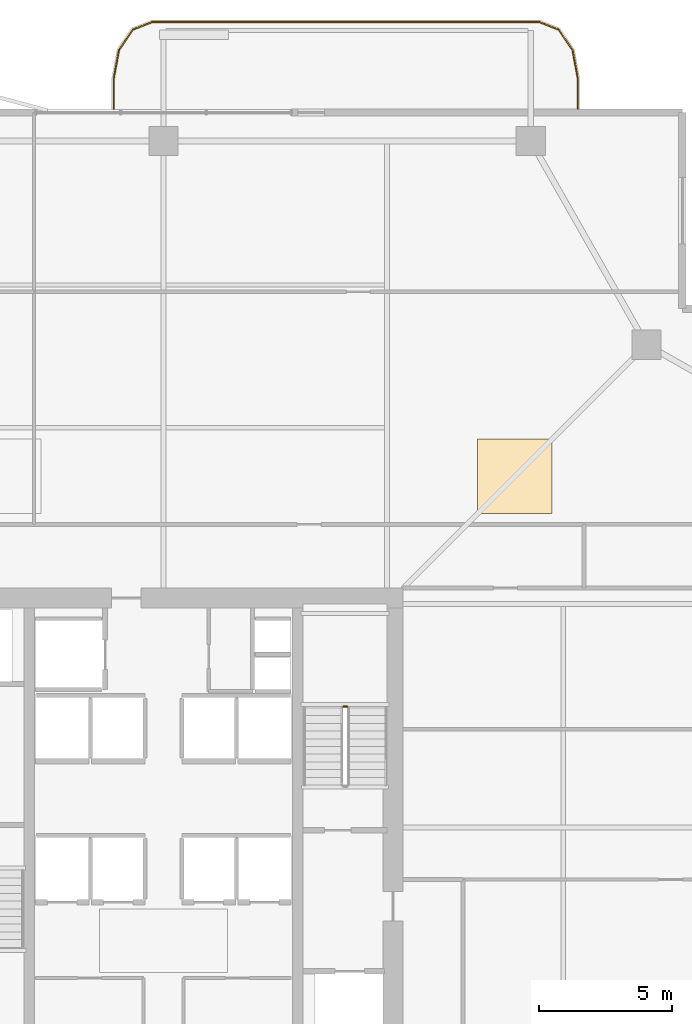
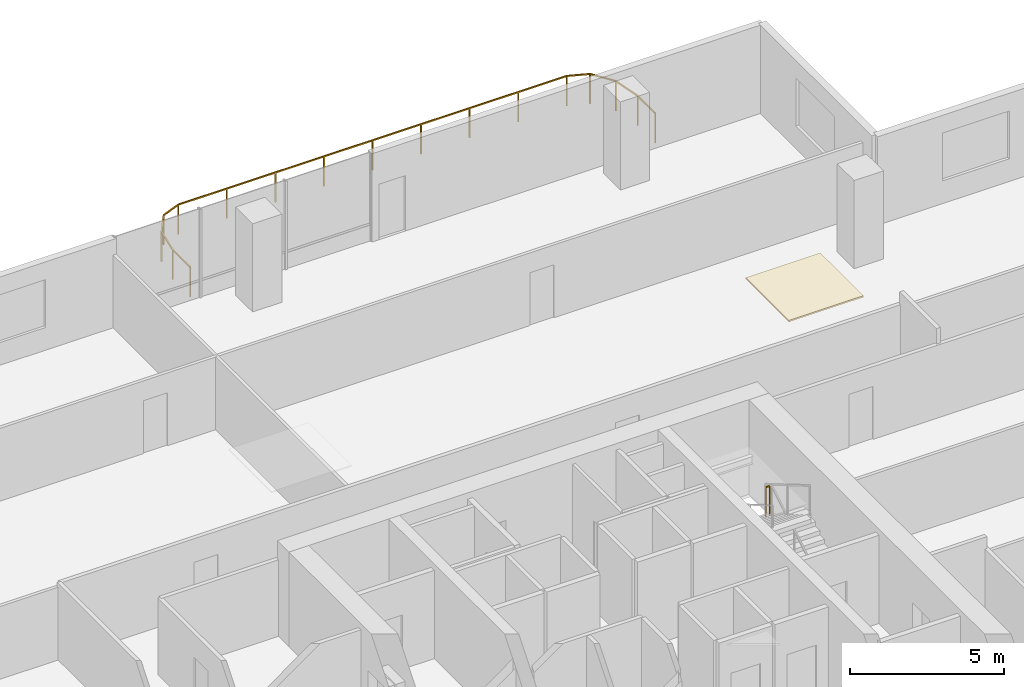
# One storey, part 24 of 24: 2 railings, 1 covering.
"""IFC4 building model written with IfcOpenShell, lengths in metres."""

from ifc_helpers import new_model, si_unit, direction, frame, origin, origin_2d, place, context, subcontext, project, spatial, polyline, rectangle, outline, extrude, material, layer, layer_set, type_object, element, save


model = new_model("IFC4")

# Units and contexts
model_context = context("Model", 3, precision=1e-05, world=origin(), true_north=direction((0.0, 1.0)))
body_context = subcontext(model_context, "Body", "Model", "MODEL_VIEW")
ifc_project = project(units=[si_unit("LENGTHUNIT", "METRE"), si_unit("AREAUNIT", "SQUARE_METRE"), si_unit("VOLUMEUNIT", "CUBIC_METRE"), si_unit("PLANEANGLEUNIT", "RADIAN"), si_unit("MASSUNIT", "GRAM", prefix="KILO")], contexts=[model_context])

# Site, building, storey
site_placement = place(None, origin())
site = spatial("IfcSite", under=ifc_project, at=site_placement, CompositionType="ELEMENT")
building_placement = place(site_placement, origin())
building = spatial("IfcBuilding", under=site, at=building_placement, Name="Belovzor Exchange Tower", CompositionType="ELEMENT")
storey_placement = place(building_placement, frame((0.0, 0.0, 207.449951171875)))
storey = spatial("IfcBuildingStorey", under=building, at=storey_placement, Name="L51", CompositionType="ELEMENT", Elevation=207.449951171875)

# Railings
ifc_material_1 = material(Name="Stainless Steel and Laminated Safety Glass", Category="steel")
railing_type_1 = type_object("IfcRailingType", Name="Laminated Glass & Stainless Steel Balcony Balustrade 1200", PredefinedType="BALUSTRADE", material=ifc_material_1)
railing_1_placement = place(storey_placement, frame((44.3701171875, 55.81005859375, 0.0)))
element("IfcRailing", 1, at=railing_1_placement, inside=storey, type_object=railing_type_1, Name="GR-1 Balcony Balustrade L51 North", PredefinedType="BALUSTRADE", context=body_context, shape_type="SweptSolid", body=[
    extrude(rectangle(XDim=0.048095703125, YDim=0.048095703125, at=origin_2d()), frame((0.0, 0.0, 1.17578125), z_axis=(0.0, 1.0, 0.0), x_axis=(-1.0, 0.0, 0.0)), (0.0, 0.0, 1.0), 1.133056640625),
    extrude(rectangle(XDim=0.048095703125, YDim=0.048095703125, at=origin_2d()), frame((0.0, 1.133056640625, 1.17578125), z_axis=(-0.180122719713, 0.983644145941, 0.0), x_axis=(-0.983644145941, -0.180122719713, 0.0)), (0.0, 0.0, 1.0), 1.09375),
    extrude(rectangle(XDim=0.048095703125, YDim=0.048095703125, at=origin_2d()), frame((-0.197021484375, 2.208984375, 1.17578125), z_axis=(-0.56294695933, 0.826493025367, 0.0), x_axis=(-0.826493025367, -0.56294695933, 0.0)), (0.0, 0.0, 1.0), 0.932861328125),
    extrude(rectangle(XDim=0.048095703125, YDim=0.048095703125, at=origin_2d()), frame((-0.72216796875, 2.97998046875, 1.17578125), z_axis=(-0.930766990125, 0.365612923861, 0.0), x_axis=(-0.365612923861, -0.930766990125, 0.0)), (0.0, 0.0, 1.0), 0.765869140625),
    extrude(rectangle(XDim=0.048095703125, YDim=0.048095703125, at=origin_2d()), frame((-1.43505859375, 3.260009765625, 1.17578125), z_axis=(-1.0, 0.0, 0.0), x_axis=(0.0, -1.0, 0.0)), (0.0, 0.0, 1.0), 14.570068359375),
    extrude(rectangle(XDim=0.048095703125, YDim=0.048095703125, at=origin_2d()), frame((-16.005126953125, 3.260009765625, 1.17578125), z_axis=(-0.930766990125, -0.365612923861, 0.0), x_axis=(0.365612923861, -0.930766990125, 0.0)), (0.0, 0.0, 1.0), 0.765869140625),
    extrude(rectangle(XDim=0.048095703125, YDim=0.048095703125, at=origin_2d()), frame((-16.718017578125, 2.97998046875, 1.17578125), z_axis=(-0.56294695933, -0.826493025367, 0.0), x_axis=(0.826493025367, -0.56294695933, 0.0)), (0.0, 0.0, 1.0), 0.932861328125),
    extrude(rectangle(XDim=0.048095703125, YDim=0.048095703125, at=origin_2d()), frame((-17.2431640625, 2.208984375, 1.17578125), z_axis=(-0.180122719713, -0.983644145941, 0.0), x_axis=(0.983644145941, -0.180122719713, 0.0)), (0.0, 0.0, 1.0), 1.09375),
    extrude(rectangle(XDim=0.048095703125, YDim=0.048095703125, at=origin_2d()), frame((-17.440185546875, 1.133056640625, 1.17578125), z_axis=(0.0, -1.0, 0.0), x_axis=(1.0, 0.0, 0.0)), (0.0, 0.0, 1.0), 1.133056640625),
    extrude(rectangle(XDim=0.0419921875, YDim=0.0419921875, at=origin_2d()), origin(), (0.0, 0.0, 1.0), 1.15185546875),
    extrude(rectangle(XDim=0.0419921875, YDim=0.0419921875, at=origin_2d()), frame((0.0, 1.133056640625, 0.0)), (0.0, 0.0, 1.0), 1.15185546875),
    extrude(rectangle(XDim=0.0419921875, YDim=0.0419921875, at=origin_2d()), frame((-0.197021484375, 2.208984375, 0.0)), (0.0, 0.0, 1.0), 1.15185546875),
    extrude(rectangle(XDim=0.0419921875, YDim=0.0419921875, at=origin_2d()), frame((-0.72216796875, 2.97998046875, 0.0)), (0.0, 0.0, 1.0), 1.15185546875),
    extrude(rectangle(XDim=0.0419921875, YDim=0.0419921875, at=origin_2d()), frame((-1.43505859375, 3.260009765625, 0.0)), (0.0, 0.0, 1.0), 1.15185546875),
    extrude(rectangle(XDim=0.0419921875, YDim=0.0419921875, at=origin_2d()), frame((-3.25634765625, 3.260009765625, 0.0)), (0.0, 0.0, 1.0), 1.15185546875),
    extrude(rectangle(XDim=0.0419921875, YDim=0.0419921875, at=origin_2d()), frame((-5.07763671875, 3.260009765625, 0.0)), (0.0, 0.0, 1.0), 1.15185546875),
    extrude(rectangle(XDim=0.0419921875, YDim=0.0419921875, at=origin_2d()), frame((-6.89892578125, 3.260009765625, 0.0)), (0.0, 0.0, 1.0), 1.15185546875),
    extrude(rectangle(XDim=0.0419921875, YDim=0.0419921875, at=origin_2d()), frame((-8.72021484375, 3.260009765625, 0.0)), (0.0, 0.0, 1.0), 1.15185546875),
    extrude(rectangle(XDim=0.0419921875, YDim=0.0419921875, at=origin_2d()), frame((-10.541259765625, 3.260009765625, 0.0)), (0.0, 0.0, 1.0), 1.15185546875),
    extrude(rectangle(XDim=0.0419921875, YDim=0.0419921875, at=origin_2d()), frame((-12.362548828125, 3.260009765625, 0.0)), (0.0, 0.0, 1.0), 1.15185546875),
    extrude(rectangle(XDim=0.0419921875, YDim=0.0419921875, at=origin_2d()), frame((-14.183837890625, 3.260009765625, 0.0)), (0.0, 0.0, 1.0), 1.15185546875),
    extrude(rectangle(XDim=0.0419921875, YDim=0.0419921875, at=origin_2d()), frame((-16.005126953125, 3.260009765625, 0.0)), (0.0, 0.0, 1.0), 1.15185546875),
    extrude(rectangle(XDim=0.0419921875, YDim=0.0419921875, at=origin_2d()), frame((-16.718017578125, 2.97998046875, 0.0)), (0.0, 0.0, 1.0), 1.15185546875),
    extrude(rectangle(XDim=0.0419921875, YDim=0.0419921875, at=origin_2d()), frame((-17.2431640625, 2.208984375, 0.0)), (0.0, 0.0, 1.0), 1.15185546875),
    extrude(rectangle(XDim=0.0419921875, YDim=0.0419921875, at=origin_2d()), frame((-17.440185546875, 1.133056640625, 0.0)), (0.0, 0.0, 1.0), 1.15185546875),
    extrude(rectangle(XDim=0.0419921875, YDim=0.0419921875, at=origin_2d()), frame((-17.440185546875, 0.0, 0.0)), (0.0, 0.0, 1.0), 1.15185546875),
])
ifc_material_2 = material(Name="Steel S355", Category="steel")
railing_type_2 = type_object("IfcRailingType", Name="Painted Steel Stairwell Guardrail 1200", PredefinedType="GUARDRAIL", material=ifc_material_2)
railing_2_placement = place(storey_placement, frame((35.699951171875, 33.35009765625, 1.875)))
element("IfcRailing", 2, at=railing_2_placement, inside=storey, type_object=railing_type_2, Name="L51 ST-2 stair guard 2", PredefinedType="GUARDRAIL", context=body_context, shape_type="SweptSolid", body=[
    extrude(rectangle(XDim=0.048095703125, YDim=0.048095703125, at=origin_2d()), frame((0.0, 0.0, 1.17578125), z_axis=(-1.0, 0.0, 0.0), x_axis=(0.0, -1.0, 0.0)), (0.0, 0.0, 1.0), 0.14990234375),
    extrude(rectangle(XDim=0.0419921875, YDim=0.0419921875, at=origin_2d()), origin(), (0.0, 0.0, 1.0), 1.15185546875),
    extrude(rectangle(XDim=0.0419921875, YDim=0.0419921875, at=origin_2d()), frame((-0.14990234375, 0.0, 0.0)), (0.0, 0.0, 1.0), 1.15185546875),
])

# Covering
ifc_material_3 = material(Name="Perforated Powder-Coated Aluminium", Category="aluminium")
ifc_layer = layer(ifc_material_3, 0.06005859375)
ifc_layer_set = layer_set([ifc_layer], Name="Perforated Powder-Coated Aluminium")
covering_type = type_object("IfcCoveringType", Name="Perforated Acoustic Metal Tile Suspended Ceiling 60", PredefinedType="CEILING", material=ifc_layer_set)
covering_placement = place(storey_placement, frame((0.0, 0.0, 3.43994140625)))
element("IfcCovering", 3, at=covering_placement, inside=storey, type_object=covering_type, Name="CLG-AC60 Suspended Ceiling CLG-L51-Z2", PredefinedType="CEILING", context=body_context, shape_type="SweptSolid", body=[
    extrude(outline(polyline([(40.60009765625, 40.60009765625), (43.39990234375, 40.60009765625), (43.39990234375, 43.39990234375), (40.60009765625, 43.39990234375), (40.60009765625, 40.60009765625)])), origin(), (0.0, 0.0, 1.0), 0.06005859375),
])

save(model, "model.ifc")
